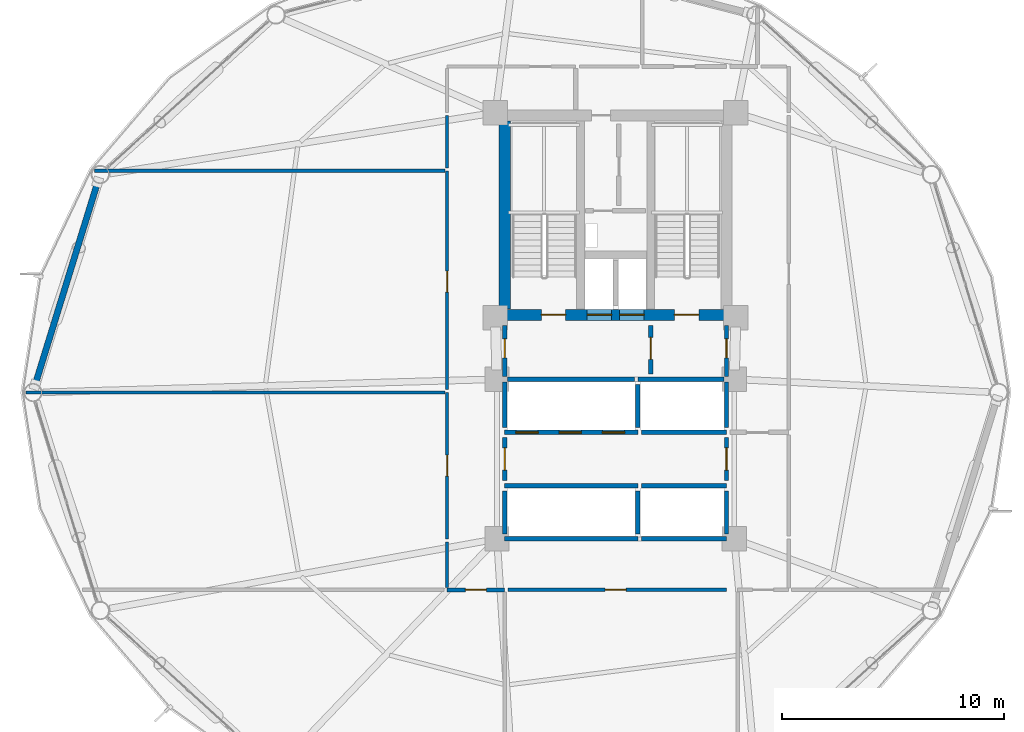
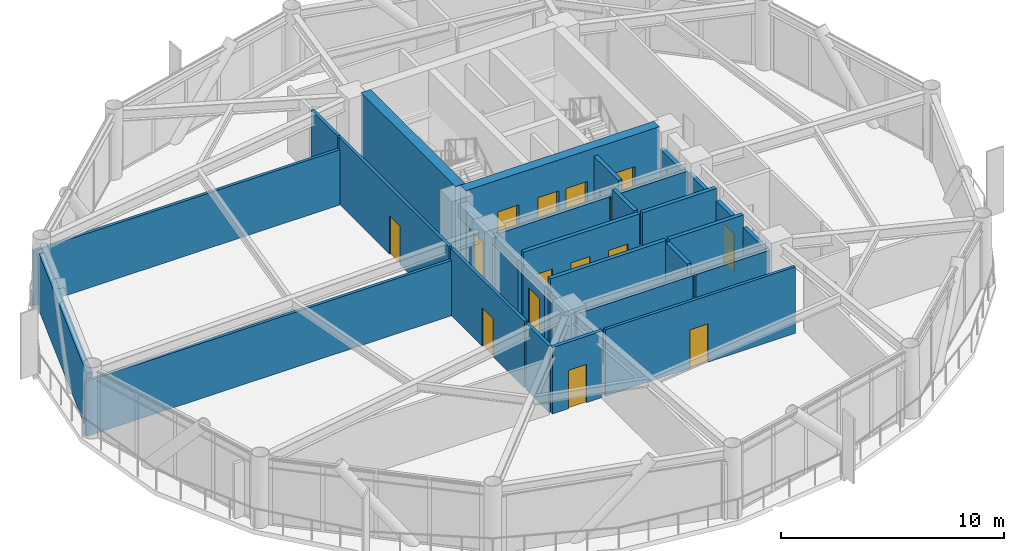
# One storey, part 20 of 25: 30 walls, 16 doors, 16 openings.
"""IFC4 building model written with IfcOpenShell, lengths in metres."""

from ifc_helpers import new_model, si_unit, direction, frame, frame_2d, origin, place, context, subcontext, project, spatial, rectangle, extrude, material, layer, layer_set, type_object, element, fill, save


model = new_model("IFC4")

# Units and contexts
model_context = context("Model", 3, precision=1e-05, world=origin(), true_north=direction((0.0, 1.0)))
body_context = subcontext(model_context, "Body", "Model", "MODEL_VIEW")
ifc_project = project(units=[si_unit("LENGTHUNIT", "METRE"), si_unit("AREAUNIT", "SQUARE_METRE"), si_unit("VOLUMEUNIT", "CUBIC_METRE"), si_unit("PLANEANGLEUNIT", "RADIAN"), si_unit("MASSUNIT", "GRAM", prefix="KILO")], contexts=[model_context])

# Site, building, storey
site_placement = place(None, origin())
site = spatial("IfcSite", under=ifc_project, at=site_placement, CompositionType="ELEMENT")
building_placement = place(site_placement, origin())
building = spatial("IfcBuilding", under=site, at=building_placement, Name="Varnakorn Sky Granary", CompositionType="ELEMENT")
storey_placement = place(building_placement, frame((0.0, 0.0, 91.5)))
storey = spatial("IfcBuildingStorey", under=building, at=storey_placement, Name="L22", CompositionType="ELEMENT", Elevation=91.5)

# Wall, openings, doors
ifc_material_1 = material(Name="Concrete C60/75", Category="concrete")
ifc_layer_1 = layer(ifc_material_1, 0.5, Name="Concrete C60/75")
ifc_layer_set_1 = layer_set([ifc_layer_1], Name="Concrete C60/75")
wall_type_1 = type_object("IfcWallType", Name="WT-CW-SHEAR-500", PredefinedType="SHEAR", material=ifc_layer_set_1)
wall_1_placement = place(storey_placement, frame((-2.0, 3.5, 0.0), z_axis=(0.0, 0.0, 1.0), x_axis=(1.0, 0.0, 0.0)))
wall_1 = element("IfcWall", 1, at=wall_1_placement, inside=storey, type_object=wall_type_1, Name="Core South Shear Wall L22", PredefinedType="SHEAR", context=body_context, shape_type="SweptSolid", body=[
    extrude(rectangle(XDim=10.0, YDim=0.5, at=frame_2d((5.0, 0.0))), origin(), (0.0, 0.0, 1.0), 3.89208984375),
])
opening_1_placement = place(wall_1_placement, frame((1.64990234375, 0.0, 0.0)))
opening_1 = element("IfcOpeningElement", 2, at=opening_1_placement, cuts=wall_1, Name="Opening FD-90", PredefinedType="OPENING", context=body_context, shape_type="SweptSolid", body=[
    extrude(rectangle(XDim=1.10009765625, YDim=2.14990234375, at=frame_2d((0.550048828125, 1.074951171875))), frame((0.0, 0.260009765625, 0.0), z_axis=(0.0, -1.0, 0.0), x_axis=(1.0, 0.0, 0.0)), (0.0, 0.0, 1.0), 0.52001953125),
])
opening_2_placement = place(wall_1_placement, frame((7.64990234375, 0.0, 0.0)))
opening_2 = element("IfcOpeningElement", 3, at=opening_2_placement, cuts=wall_1, Name="Opening FD-90", PredefinedType="OPENING", context=body_context, shape_type="SweptSolid", body=[
    extrude(rectangle(XDim=1.10009765625, YDim=2.14990234375, at=frame_2d((0.550048828125, 1.074951171875))), frame((0.0, 0.260009765625, 0.0), z_axis=(0.0, -1.0, 0.0), x_axis=(1.0, 0.0, 0.0)), (0.0, 0.0, 1.0), 0.52001953125),
])
opening_3_placement = place(wall_1_placement, frame((3.719970703125, 0.0, 0.0)))
opening_3 = element("IfcOpeningElement", 4, at=opening_3_placement, cuts=wall_1, Name="Opening LD-01", PredefinedType="OPENING", context=body_context, shape_type="SweptSolid", body=[
    extrude(rectangle(XDim=1.10009765625, YDim=2.199951171875, at=frame_2d((0.550048828125, 1.10009765625))), frame((0.0, 0.260009765625, 0.0), z_axis=(0.0, -1.0, 0.0), x_axis=(1.0, 0.0, 0.0)), (0.0, 0.0, 1.0), 0.52001953125),
])
opening_4_placement = place(wall_1_placement, frame((5.179931640625, 0.0, 0.0)))
opening_4 = element("IfcOpeningElement", 5, at=opening_4_placement, cuts=wall_1, Name="Opening LD-01", PredefinedType="OPENING", context=body_context, shape_type="SweptSolid", body=[
    extrude(rectangle(XDim=1.10009765625, YDim=2.199951171875, at=frame_2d((0.550048828125, 1.10009765625))), frame((0.0, 0.260009765625, 0.0), z_axis=(0.0, -1.0, 0.0), x_axis=(1.0, 0.0, 0.0)), (0.0, 0.0, 1.0), 0.52001953125),
])
ifc_material_2 = material(Name="Brushed Bronze Stainless Steel", Category="steel")
door_type_1 = type_object("IfcDoorType", Name="DR-LD-1100", OperationType="DOUBLE_DOOR_SLIDING", PredefinedType="DOOR", material=ifc_material_2)
door_1_placement = place(opening_3_placement, origin())
door_1 = element("IfcDoor", 6, at=door_1_placement, inside=storey, type_object=door_type_1, Name="Firefighting Lift FFL-1 Landing Door L22", OperationType="DOUBLE_DOOR_SLIDING", OverallHeight=2.199951171875, OverallWidth=1.10009765625, PredefinedType="DOOR", context=body_context, shape_type="SweptSolid", body=[
    extrude(rectangle(XDim=1.10009765625, YDim=2.199951171875, at=frame_2d((0.550048828125, 1.10009765625))), frame((0.0, 0.02490234375, 0.0), z_axis=(0.0, -1.0, 0.0), x_axis=(1.0, 0.0, 0.0)), (0.0, 0.0, 1.0), 0.050048828125),
])
fill(opening_3, door_1)
door_2_placement = place(opening_4_placement, origin())
door_2 = element("IfcDoor", 7, at=door_2_placement, inside=storey, type_object=door_type_1, Name="Firefighting Lift FFL-2 Landing Door L22", OperationType="DOUBLE_DOOR_SLIDING", OverallHeight=2.199951171875, OverallWidth=1.10009765625, PredefinedType="DOOR", context=body_context, shape_type="SweptSolid", body=[
    extrude(rectangle(XDim=1.10009765625, YDim=2.199951171875, at=frame_2d((0.550048828125, 1.10009765625))), frame((0.0, 0.02490234375, 0.0), z_axis=(0.0, -1.0, 0.0), x_axis=(1.0, 0.0, 0.0)), (0.0, 0.0, 1.0), 0.050048828125),
])
fill(opening_4, door_2)
ifc_material_3 = material(Name="Galvanised Painted Steel Leaf", Category="steel")
door_type_2 = type_object("IfcDoorType", Name="DR-STAIR-1100", OperationType="NOTDEFINED", PredefinedType="DOOR", material=ifc_material_3)
door_3_placement = place(opening_1_placement, origin())
door_3 = element("IfcDoor", 8, at=door_3_placement, inside=storey, type_object=door_type_2, Name="Stair ST-1 Protected Fire Door L22", OperationType="SINGLE_SWING_LEFT", OverallHeight=2.14990234375, OverallWidth=1.10009765625, PredefinedType="DOOR", context=body_context, shape_type="SweptSolid", body=[
    extrude(rectangle(XDim=1.10009765625, YDim=2.14990234375, at=frame_2d((0.550048828125, 1.074951171875))), frame((0.0, 0.02490234375, 0.0), z_axis=(0.0, -1.0, 0.0), x_axis=(1.0, 0.0, 0.0)), (0.0, 0.0, 1.0), 0.050048828125),
])
fill(opening_1, door_3)
door_4_placement = place(opening_2_placement, origin())
door_4 = element("IfcDoor", 9, at=door_4_placement, inside=storey, type_object=door_type_2, Name="Stair ST-2 Protected Fire Door L22", OperationType="SINGLE_SWING_RIGHT", OverallHeight=2.14990234375, OverallWidth=1.10009765625, PredefinedType="DOOR", context=body_context, shape_type="SweptSolid", body=[
    extrude(rectangle(XDim=1.10009765625, YDim=2.14990234375, at=frame_2d((0.550048828125, 1.074951171875))), frame((0.0, 0.02490234375, 0.0), z_axis=(0.0, -1.0, 0.0), x_axis=(1.0, 0.0, 0.0)), (0.0, 0.0, 1.0), 0.050048828125),
])
fill(opening_2, door_4)

# Walls
wall_2_placement = place(storey_placement, frame((-2.0, 3.760009765625, 0.0), z_axis=(0.0, 0.0, 1.0), x_axis=(0.0, 1.0, 0.0)))
element("IfcWall", 10, at=wall_2_placement, inside=storey, type_object=wall_type_1, Name="Core West Shear Wall L22", PredefinedType="SHEAR", context=body_context, shape_type="SweptSolid", body=[
    extrude(rectangle(XDim=8.47998046875, YDim=0.5, at=frame_2d((4.239990234375, 0.0))), origin(), (0.0, 0.0, 1.0), 3.89208984375),
])
ifc_material_4 = material(Name="Precast concrete C40/50", Category="concrete")
ifc_layer_2 = layer(ifc_material_4, 0.280029296875, Name="Precast concrete C40/50")
ifc_layer_set_2 = layer_set([ifc_layer_2], Name="Precast concrete C40/50")
wall_type_2 = type_object("IfcWallType", Name="WT-EW-CRN-280", PredefinedType="SOLIDWALL", material=ifc_layer_set_2)
wall_3_placement = place(storey_placement, frame((-23.176513671875, 0.345458984375, 0.0), z_axis=(0.0, 0.0, 1.0), x_axis=(0.294960704896, 0.95550938382, 0.0)))
element("IfcWall", 11, at=wall_3_placement, inside=storey, type_object=wall_type_2, Name="Agritech Insulated Precast Facade Wall L22-P06", PredefinedType="SOLIDWALL", context=body_context, shape_type="SweptSolid", body=[
    extrude(rectangle(XDim=9.568359375, YDim=0.280029296875, at=frame_2d((4.7841796875, 0.0))), origin(), (0.0, 0.0, 1.0), 3.110107421875),
])

# Wall, opening, door
ifc_material_5 = material(Name="Autoclaved Aerated Concrete Blockwork", Category="masonry")
ifc_layer_3 = layer(ifc_material_5, 0.199951171875, Name="Autoclaved Aerated Concrete Blockwork")
ifc_layer_set_3 = layer_set([ifc_layer_3], Name="Autoclaved Aerated Concrete Blockwork")
wall_type_3 = type_object("IfcWallType", Name="WT-FIRE-200", PredefinedType="MOVABLE", material=ifc_layer_set_3)
wall_4_placement = place(storey_placement, frame((4.580078125, 0.830078125, 0.0), z_axis=(0.0, 0.0, 1.0), x_axis=(0.0, 1.0, 0.0)))
wall_4 = element("IfcWall", 12, at=wall_4_placement, inside=storey, type_object=wall_type_3, Name="Interior Partition Wall L22-017", PredefinedType="MOVABLE", context=body_context, shape_type="SweptSolid", body=[
    extrude(rectangle(XDim=2.18994140625, YDim=0.199951171875, at=frame_2d((1.094970703125, 0.0))), origin(), (0.0, 0.0, 1.0), 3.639892578125),
])
opening_5_placement = place(wall_4_placement, frame((0.659912109375, 0.0, 0.0)))
opening_5 = element("IfcOpeningElement", 13, at=opening_5_placement, cuts=wall_4, Name="Opening FD-60", PredefinedType="OPENING", context=body_context, shape_type="SweptSolid", body=[
    extrude(rectangle(XDim=1.0, YDim=2.10009765625, at=frame_2d((0.5, 1.050048828125))), frame((0.0, 0.10986328125, 0.0), z_axis=(0.0, -1.0, 0.0), x_axis=(1.0, 0.0, 0.0)), (0.0, 0.0, 1.0), 0.219970703125),
])
ifc_material_6 = material(Name="Acoustic Timber Fire Leaf", Category="wood")
door_type_3 = type_object("IfcDoorType", Name="DR-FD60-1000", OperationType="NOTDEFINED", PredefinedType="DOOR", material=ifc_material_6)
door_5_placement = place(opening_5_placement, origin())
door_5 = element("IfcDoor", 14, at=door_5_placement, inside=storey, type_object=door_type_3, Name="Interior Door L22-017-1", OperationType="SINGLE_SWING_RIGHT", OverallHeight=2.10009765625, OverallWidth=1.0, PredefinedType="DOOR", context=body_context, shape_type="SweptSolid", body=[
    extrude(rectangle(XDim=1.0, YDim=2.10009765625, at=frame_2d((0.5, 1.050048828125))), frame((0.0, 0.02490234375, 0.0), z_axis=(0.0, -1.0, 0.0), x_axis=(1.0, 0.0, 0.0)), (0.0, 0.0, 1.0), 0.050048828125),
])
fill(opening_5, door_5)

wall_5_placement = place(storey_placement, frame((-2.0, 0.719970703125, 0.0), z_axis=(0.0, 0.0, 1.0), x_axis=(0.0, 1.0, 0.0)))
wall_5 = element("IfcWall", 15, at=wall_5_placement, inside=storey, type_object=wall_type_3, Name="Interior Partition Wall L22-018", PredefinedType="MOVABLE", context=body_context, shape_type="SweptSolid", body=[
    extrude(rectangle(XDim=2.300048828125, YDim=0.199951171875, at=frame_2d((1.14990234375, 0.0))), origin(), (0.0, 0.0, 1.0), 2.8720703125),
])
opening_6_placement = place(wall_5_placement, frame((0.844970703125, 0.0, 0.0)))
opening_6 = element("IfcOpeningElement", 16, at=opening_6_placement, cuts=wall_5, Name="Opening FD-60N", PredefinedType="OPENING", context=body_context, shape_type="SweptSolid", body=[
    extrude(rectangle(XDim=0.85009765625, YDim=2.10009765625, at=frame_2d((0.425048828125, 1.050048828125))), frame((0.0, 0.10986328125, 0.0), z_axis=(0.0, -1.0, 0.0), x_axis=(1.0, 0.0, 0.0)), (0.0, 0.0, 1.0), 0.219970703125),
])
door_type_4 = type_object("IfcDoorType", Name="DR-FD60-850", OperationType="NOTDEFINED", PredefinedType="DOOR", material=ifc_material_6)
door_6_placement = place(opening_6_placement, origin())
door_6 = element("IfcDoor", 17, at=door_6_placement, inside=storey, type_object=door_type_4, Name="Interior Door L22-018-1", OperationType="SINGLE_SWING_LEFT", OverallHeight=2.10009765625, OverallWidth=0.85009765625, PredefinedType="DOOR", context=body_context, shape_type="SweptSolid", body=[
    extrude(rectangle(XDim=0.85009765625, YDim=2.10009765625, at=frame_2d((0.425048828125, 1.050048828125))), frame((0.0, 0.02490234375, 0.0), z_axis=(0.0, -1.0, 0.0), x_axis=(1.0, 0.0, 0.0)), (0.0, 0.0, 1.0), 0.050048828125),
])
fill(opening_6, door_6)

wall_6_placement = place(storey_placement, frame((8.0, 0.719970703125, 0.0), z_axis=(0.0, 0.0, 1.0), x_axis=(0.0, 1.0, 0.0)))
wall_6 = element("IfcWall", 18, at=wall_6_placement, inside=storey, type_object=wall_type_3, Name="Interior Partition Wall L22-019", PredefinedType="MOVABLE", context=body_context, shape_type="SweptSolid", body=[
    extrude(rectangle(XDim=2.300048828125, YDim=0.199951171875, at=frame_2d((1.14990234375, 0.0))), origin(), (0.0, 0.0, 1.0), 2.8720703125),
])
opening_7_placement = place(wall_6_placement, frame((0.844970703125, 0.0, 0.0)))
opening_7 = element("IfcOpeningElement", 19, at=opening_7_placement, cuts=wall_6, Name="Opening FD-60N", PredefinedType="OPENING", context=body_context, shape_type="SweptSolid", body=[
    extrude(rectangle(XDim=0.85009765625, YDim=2.10009765625, at=frame_2d((0.425048828125, 1.050048828125))), frame((0.0, 0.10986328125, 0.0), z_axis=(0.0, -1.0, 0.0), x_axis=(1.0, 0.0, 0.0)), (0.0, 0.0, 1.0), 0.219970703125),
])
door_7_placement = place(opening_7_placement, origin())
door_7 = element("IfcDoor", 20, at=door_7_placement, inside=storey, type_object=door_type_4, Name="Interior Door L22-019-1", OperationType="SINGLE_SWING_RIGHT", OverallHeight=2.10009765625, OverallWidth=0.85009765625, PredefinedType="DOOR", context=body_context, shape_type="SweptSolid", body=[
    extrude(rectangle(XDim=0.85009765625, YDim=2.10009765625, at=frame_2d((0.425048828125, 1.050048828125))), frame((0.0, 0.02490234375, 0.0), z_axis=(0.0, -1.0, 0.0), x_axis=(1.0, 0.0, 0.0)), (0.0, 0.0, 1.0), 0.050048828125),
])
fill(opening_7, door_7)

wall_7_placement = place(storey_placement, frame((-2.0, -3.969970703125, 0.0), z_axis=(0.0, 0.0, 1.0), x_axis=(0.0, 1.0, 0.0)))
wall_7 = element("IfcWall", 21, at=wall_7_placement, inside=storey, type_object=wall_type_3, Name="Interior Partition Wall L22-020", PredefinedType="MOVABLE", context=body_context, shape_type="SweptSolid", body=[
    extrude(rectangle(XDim=1.93994140625, YDim=0.199951171875, at=frame_2d((0.969970703125, 0.0))), origin(), (0.0, 0.0, 1.0), 3.02197265625),
])
opening_8_placement = place(wall_7_placement, frame((0.469970703125, 0.0, 0.0)))
opening_8 = element("IfcOpeningElement", 22, at=opening_8_placement, cuts=wall_7, Name="Opening FD-60", PredefinedType="OPENING", context=body_context, shape_type="SweptSolid", body=[
    extrude(rectangle(XDim=1.0, YDim=2.10009765625, at=frame_2d((0.5, 1.050048828125))), frame((0.0, 0.10986328125, 0.0), z_axis=(0.0, -1.0, 0.0), x_axis=(1.0, 0.0, 0.0)), (0.0, 0.0, 1.0), 0.219970703125),
])
door_8_placement = place(opening_8_placement, origin())
door_8 = element("IfcDoor", 23, at=door_8_placement, inside=storey, type_object=door_type_3, Name="Interior Door L22-020-1", OperationType="SINGLE_SWING_LEFT", OverallHeight=2.10009765625, OverallWidth=1.0, PredefinedType="DOOR", context=body_context, shape_type="SweptSolid", body=[
    extrude(rectangle(XDim=1.0, YDim=2.10009765625, at=frame_2d((0.5, 1.050048828125))), frame((0.0, 0.02490234375, 0.0), z_axis=(0.0, -1.0, 0.0), x_axis=(1.0, 0.0, 0.0)), (0.0, 0.0, 1.0), 0.050048828125),
])
fill(opening_8, door_8)

wall_8_placement = place(storey_placement, frame((8.0, -3.969970703125, 0.0), z_axis=(0.0, 0.0, 1.0), x_axis=(0.0, 1.0, 0.0)))
wall_8 = element("IfcWall", 24, at=wall_8_placement, inside=storey, type_object=wall_type_3, Name="Interior Partition Wall L22-021", PredefinedType="MOVABLE", context=body_context, shape_type="SweptSolid", body=[
    extrude(rectangle(XDim=1.93994140625, YDim=0.199951171875, at=frame_2d((0.969970703125, 0.0))), origin(), (0.0, 0.0, 1.0), 3.072021484375),
])
opening_9_placement = place(wall_8_placement, frame((0.469970703125, 0.0, 0.0)))
opening_9 = element("IfcOpeningElement", 25, at=opening_9_placement, cuts=wall_8, Name="Opening FD-60", PredefinedType="OPENING", context=body_context, shape_type="SweptSolid", body=[
    extrude(rectangle(XDim=1.0, YDim=2.10009765625, at=frame_2d((0.5, 1.050048828125))), frame((0.0, 0.10986328125, 0.0), z_axis=(0.0, -1.0, 0.0), x_axis=(1.0, 0.0, 0.0)), (0.0, 0.0, 1.0), 0.219970703125),
])
door_9_placement = place(opening_9_placement, origin())
door_9 = element("IfcDoor", 26, at=door_9_placement, inside=storey, type_object=door_type_3, Name="Interior Door L22-021-1", OperationType="SINGLE_SWING_RIGHT", OverallHeight=2.10009765625, OverallWidth=1.0, PredefinedType="DOOR", context=body_context, shape_type="SweptSolid", body=[
    extrude(rectangle(XDim=1.0, YDim=2.10009765625, at=frame_2d((0.5, 1.050048828125))), frame((0.0, 0.02490234375, 0.0), z_axis=(0.0, -1.0, 0.0), x_axis=(1.0, 0.0, 0.0)), (0.0, 0.0, 1.0), 0.050048828125),
])
fill(opening_9, door_9)

# Wall
wall_9_placement = place(storey_placement, frame((-1.8798828125, 0.60009765625, 0.0), z_axis=(0.0, 0.0, 1.0), x_axis=(1.0, 0.0, 0.0)))
element("IfcWall", 27, at=wall_9_placement, inside=storey, type_object=wall_type_3, Name="Interior Partition Wall L22-031", PredefinedType="MOVABLE", context=body_context, shape_type="SweptSolid", body=[
    extrude(rectangle(XDim=5.719970703125, YDim=0.199951171875, at=frame_2d((2.85986328125, 0.0))), origin(), (0.0, 0.0, 1.0), 3.172119140625),
])

# Wall, opening, door
ifc_material_7 = material(Name="Gypsum Plasterboard on Steel Stud", Category="steel")
ifc_layer_4 = layer(ifc_material_7, 0.14990234375, Name="Gypsum Plasterboard on Steel Stud")
ifc_layer_set_4 = layer_set([ifc_layer_4], Name="Gypsum Plasterboard on Steel Stud")
wall_type_4 = type_object("IfcWallType", Name="WT-PART-150", PredefinedType="PARTITIONING", material=ifc_layer_set_4)
wall_10_placement = place(storey_placement, frame((-1.85009765625, -8.89990234375, 0.0), z_axis=(0.0, 0.0, 1.0), x_axis=(1.0, 0.0, 0.0)))
wall_10 = element("IfcWall", 28, at=wall_10_placement, inside=storey, type_object=wall_type_4, Name="Interior Partition Wall L22-025", PredefinedType="PARTITIONING", context=body_context, shape_type="SweptSolid", body=[
    extrude(rectangle(XDim=9.85009765625, YDim=0.14990234375, at=frame_2d((4.925048828125, 0.0))), origin(), (0.0, 0.0, 1.0), 3.639892578125),
])
opening_10_placement = place(wall_10_placement, frame((4.375, 0.0, 0.0)))
opening_10 = element("IfcOpeningElement", 29, at=opening_10_placement, cuts=wall_10, Name="Opening ID-95", PredefinedType="OPENING", context=body_context, shape_type="SweptSolid", body=[
    extrude(rectangle(XDim=0.949951171875, YDim=2.10009765625, at=frame_2d((0.47509765625, 1.050048828125))), frame((0.0, 0.0849609375, 0.0), z_axis=(0.0, -1.0, 0.0), x_axis=(1.0, 0.0, 0.0)), (0.0, 0.0, 1.0), 0.169921875),
])
ifc_material_8 = material(Name="Solid-Core Teak Veneer Leaf", Category="timber")
door_type_5 = type_object("IfcDoorType", Name="DR-INT-950", OperationType="NOTDEFINED", PredefinedType="DOOR", material=ifc_material_8)
door_10_placement = place(opening_10_placement, origin())
door_10 = element("IfcDoor", 30, at=door_10_placement, inside=storey, type_object=door_type_5, Name="Interior Door L22-025-1", OperationType="SINGLE_SWING_RIGHT", OverallHeight=2.10009765625, OverallWidth=0.949951171875, PredefinedType="DOOR", context=body_context, shape_type="SweptSolid", body=[
    extrude(rectangle(XDim=0.949951171875, YDim=2.10009765625, at=frame_2d((0.47509765625, 1.050048828125))), frame((0.0, 0.02490234375, 0.0), z_axis=(0.0, -1.0, 0.0), x_axis=(1.0, 0.0, 0.0)), (0.0, 0.0, 1.0), 0.050048828125),
])
fill(opening_10, door_10)

wall_11_placement = place(storey_placement, frame((-4.60009765625, 0.0, 0.0), z_axis=(0.0, 0.0, 1.0), x_axis=(0.0, -1.0, 0.0)))
wall_11 = element("IfcWall", 31, at=wall_11_placement, inside=storey, type_object=wall_type_4, Name="Interior Partition Wall L22-027", PredefinedType="PARTITIONING", context=body_context, shape_type="SweptSolid", body=[
    extrude(rectangle(XDim=6.60009765625, YDim=0.14990234375, at=frame_2d((3.300048828125, 0.0))), origin(), (0.0, 0.0, 1.0), 3.639892578125),
])
opening_11_placement = place(wall_11_placement, frame((2.824951171875, 0.0, 0.0)))
opening_11 = element("IfcOpeningElement", 32, at=opening_11_placement, cuts=wall_11, Name="Opening ID-95", PredefinedType="OPENING", context=body_context, shape_type="SweptSolid", body=[
    extrude(rectangle(XDim=0.949951171875, YDim=2.10009765625, at=frame_2d((0.47509765625, 1.050048828125))), frame((0.0, 0.0849609375, 0.0), z_axis=(0.0, -1.0, 0.0), x_axis=(1.0, 0.0, 0.0)), (0.0, 0.0, 1.0), 0.169921875),
])
door_11_placement = place(opening_11_placement, origin())
door_11 = element("IfcDoor", 33, at=door_11_placement, inside=storey, type_object=door_type_5, Name="Interior Door L22-027-1", OperationType="SINGLE_SWING_RIGHT", OverallHeight=2.10009765625, OverallWidth=0.949951171875, PredefinedType="DOOR", context=body_context, shape_type="SweptSolid", body=[
    extrude(rectangle(XDim=0.949951171875, YDim=2.10009765625, at=frame_2d((0.47509765625, 1.050048828125))), frame((0.0, 0.02490234375, 0.0), z_axis=(0.0, -1.0, 0.0), x_axis=(1.0, 0.0, 0.0)), (0.0, 0.0, 1.0), 0.050048828125),
])
fill(opening_11, door_11)

wall_12_placement = place(storey_placement, frame((-4.60009765625, 10.0, 0.0), z_axis=(0.0, 0.0, 1.0), x_axis=(0.0, -1.0, 0.0)))
wall_12 = element("IfcWall", 34, at=wall_12_placement, inside=storey, type_object=wall_type_4, Name="Interior Partition Wall L22-028", PredefinedType="PARTITIONING", context=body_context, shape_type="SweptSolid", body=[
    extrude(rectangle(XDim=9.864990234375, YDim=0.14990234375, at=frame_2d((4.9326171875, 0.0))), origin(), (0.0, 0.0, 1.0), 3.639892578125),
])
opening_12_placement = place(wall_12_placement, frame((4.52490234375, 0.0, 0.0)))
opening_12 = element("IfcOpeningElement", 35, at=opening_12_placement, cuts=wall_12, Name="Opening ID-95", PredefinedType="OPENING", context=body_context, shape_type="SweptSolid", body=[
    extrude(rectangle(XDim=0.949951171875, YDim=2.10009765625, at=frame_2d((0.47509765625, 1.050048828125))), frame((0.0, 0.0849609375, 0.0), z_axis=(0.0, -1.0, 0.0), x_axis=(1.0, 0.0, 0.0)), (0.0, 0.0, 1.0), 0.169921875),
])
door_12_placement = place(opening_12_placement, origin())
door_12 = element("IfcDoor", 36, at=door_12_placement, inside=storey, type_object=door_type_5, Name="Interior Door L22-028-1", OperationType="SINGLE_SWING_LEFT", OverallHeight=2.10009765625, OverallWidth=0.949951171875, PredefinedType="DOOR", context=body_context, shape_type="SweptSolid", body=[
    extrude(rectangle(XDim=0.949951171875, YDim=2.10009765625, at=frame_2d((0.47509765625, 1.050048828125))), frame((0.0, 0.02490234375, 0.0), z_axis=(0.0, -1.0, 0.0), x_axis=(1.0, 0.0, 0.0)), (0.0, 0.0, 1.0), 0.050048828125),
])
fill(opening_12, door_12)

# Walls
wall_13_placement = place(storey_placement, frame((-4.60009765625, -6.735107421875, 0.0), z_axis=(0.0, 0.0, 1.0), x_axis=(0.0, -1.0, 0.0)))
element("IfcWall", 37, at=wall_13_placement, inside=storey, type_object=wall_type_4, Name="Interior Partition Wall L22-038", PredefinedType="PARTITIONING", context=body_context, shape_type="SweptSolid", body=[
    extrude(rectangle(XDim=2.06494140625, YDim=0.14990234375, at=frame_2d((1.032470703125, 0.0))), origin(), (0.0, 0.0, 1.0), 3.639892578125),
])
wall_14_placement = place(storey_placement, frame((-23.593017578125, 0.0, 0.0), z_axis=(0.0, 0.0, 1.0), x_axis=(1.0, 0.0, 0.0)))
element("IfcWall", 38, at=wall_14_placement, inside=storey, type_object=wall_type_4, Name="Interior Partition Wall L22-039", PredefinedType="PARTITIONING", context=body_context, shape_type="SweptSolid", body=[
    extrude(rectangle(XDim=18.907958984375, YDim=0.14990234375, at=frame_2d((9.4541015625, 0.0))), origin(), (0.0, 0.0, 1.0), 3.02197265625),
])
wall_15_placement = place(storey_placement, frame((-20.506103515625, 10.0, 0.0), z_axis=(0.0, 0.0, 1.0), x_axis=(1.0, 0.0, 0.0)))
element("IfcWall", 39, at=wall_15_placement, inside=storey, type_object=wall_type_4, Name="Interior Partition Wall L22-040", PredefinedType="PARTITIONING", context=body_context, shape_type="SweptSolid", body=[
    extrude(rectangle(XDim=15.821044921875, YDim=0.14990234375, at=frame_2d((7.91064453125, 0.0))), origin(), (0.0, 0.0, 1.0), 3.02197265625),
])
wall_16_placement = place(storey_placement, frame((-4.60009765625, 12.5, 0.0), z_axis=(0.0, 0.0, 1.0), x_axis=(0.0, -1.0, 0.0)))
element("IfcWall", 40, at=wall_16_placement, inside=storey, type_object=wall_type_4, Name="Interior Partition Wall L22-042", PredefinedType="PARTITIONING", context=body_context, shape_type="SweptSolid", body=[
    extrude(rectangle(XDim=2.364990234375, YDim=0.14990234375, at=frame_2d((1.1826171875, 0.0))), origin(), (0.0, 0.0, 1.0), 3.639892578125),
])

# Wall, opening, door
ifc_material_9 = material(Name="Moisture-Resistant Gypsum on Stud", Category="gypsum")
ifc_layer_5 = layer(ifc_material_9, 0.179931640625, Name="Moisture-Resistant Gypsum on Stud")
ifc_layer_set_5 = layer_set([ifc_layer_5], Name="Moisture-Resistant Gypsum on Stud")
wall_type_5 = type_object("IfcWallType", Name="WT-PLUMB-180", PredefinedType="PLUMBINGWALL", material=ifc_layer_set_5)
wall_17_placement = place(storey_placement, frame((-4.60009765625, -8.89990234375, 0.0), z_axis=(0.0, 0.0, 1.0), x_axis=(1.0, 0.0, 0.0)))
wall_17 = element("IfcWall", 41, at=wall_17_placement, inside=storey, type_object=wall_type_5, Name="Interior Partition Wall L22-024", PredefinedType="PLUMBINGWALL", context=body_context, shape_type="SweptSolid", body=[
    extrude(rectangle(XDim=2.60009765625, YDim=0.179931640625, at=frame_2d((1.300048828125, 0.0))), origin(), (0.0, 0.0, 1.0), 3.639892578125),
])
opening_13_placement = place(wall_17_placement, frame((0.824951171875, 0.0, 0.0)))
opening_13 = element("IfcOpeningElement", 42, at=opening_13_placement, cuts=wall_17, Name="Opening ID-95", PredefinedType="OPENING", context=body_context, shape_type="SweptSolid", body=[
    extrude(rectangle(XDim=0.949951171875, YDim=2.10009765625, at=frame_2d((0.47509765625, 1.050048828125))), frame((0.0, 0.10009765625, 0.0), z_axis=(0.0, -1.0, 0.0), x_axis=(1.0, 0.0, 0.0)), (0.0, 0.0, 1.0), 0.199951171875),
])
door_13_placement = place(opening_13_placement, origin())
door_13 = element("IfcDoor", 43, at=door_13_placement, inside=storey, type_object=door_type_5, Name="Interior Door L22-024-1", OperationType="SINGLE_SWING_LEFT", OverallHeight=2.10009765625, OverallWidth=0.949951171875, PredefinedType="DOOR", context=body_context, shape_type="SweptSolid", body=[
    extrude(rectangle(XDim=0.949951171875, YDim=2.10009765625, at=frame_2d((0.47509765625, 1.050048828125))), frame((0.0, 0.02490234375, 0.0), z_axis=(0.0, -1.0, 0.0), x_axis=(1.0, 0.0, 0.0)), (0.0, 0.0, 1.0), 0.050048828125),
])
fill(opening_13, door_13)

# Wall
ifc_layer_6 = layer(ifc_material_5, 0.199951171875, Name="Autoclaved Aerated Concrete Blockwork")
ifc_layer_set_6 = layer_set([ifc_layer_6], Name="Autoclaved Aerated Concrete Blockwork")
wall_type_6 = type_object("IfcWallType", Name="WT-SHAFT-200", PredefinedType="SOLIDWALL", material=ifc_layer_set_6)
wall_18_placement = place(storey_placement, frame((4.0, 0.60009765625, 0.0), z_axis=(0.0, 0.0, 1.0), x_axis=(1.0, 0.0, 0.0)))
element("IfcWall", 44, at=wall_18_placement, inside=storey, type_object=wall_type_6, Name="Interior Partition Wall L22-002", PredefinedType="SOLIDWALL", context=body_context, shape_type="SweptSolid", body=[
    extrude(rectangle(XDim=3.8798828125, YDim=0.199951171875, at=frame_2d((1.93994140625, 0.0))), origin(), (0.0, 0.0, 1.0), 3.172119140625),
])

# Wall, openings, doors
wall_19_placement = place(storey_placement, frame((-2.0, -1.800048828125, 0.0), z_axis=(0.0, 0.0, 1.0), x_axis=(1.0, 0.0, 0.0)))
wall_19 = element("IfcWall", 45, at=wall_19_placement, inside=storey, type_object=wall_type_6, Name="Interior Partition Wall L22-003", PredefinedType="SOLIDWALL", context=body_context, shape_type="SweptSolid", body=[
    extrude(rectangle(XDim=6.0, YDim=0.199951171875, at=frame_2d((3.0, 0.0))), origin(), (0.0, 0.0, 1.0), 3.639892578125),
])
opening_14_placement = place(wall_19_placement, frame((0.5, 0.0, 0.0)))
opening_14 = element("IfcOpeningElement", 46, at=opening_14_placement, cuts=wall_19, Name="Opening LD-03", PredefinedType="OPENING", context=body_context, shape_type="SweptSolid", body=[
    extrude(rectangle(XDim=1.0, YDim=2.199951171875, at=frame_2d((0.5, 1.10009765625))), frame((0.0, 0.10986328125, 0.0), z_axis=(0.0, -1.0, 0.0), x_axis=(1.0, 0.0, 0.0)), (0.0, 0.0, 1.0), 0.219970703125),
])
opening_15_placement = place(wall_19_placement, frame((2.449951171875, 0.0, 0.0)))
opening_15 = element("IfcOpeningElement", 47, at=opening_15_placement, cuts=wall_19, Name="Opening LD-03", PredefinedType="OPENING", context=body_context, shape_type="SweptSolid", body=[
    extrude(rectangle(XDim=1.0, YDim=2.199951171875, at=frame_2d((0.5, 1.10009765625))), frame((0.0, 0.10986328125, 0.0), z_axis=(0.0, -1.0, 0.0), x_axis=(1.0, 0.0, 0.0)), (0.0, 0.0, 1.0), 0.219970703125),
])
opening_16_placement = place(wall_19_placement, frame((4.39990234375, 0.0, 0.0)))
opening_16 = element("IfcOpeningElement", 48, at=opening_16_placement, cuts=wall_19, Name="Opening LD-03", PredefinedType="OPENING", context=body_context, shape_type="SweptSolid", body=[
    extrude(rectangle(XDim=1.0, YDim=2.199951171875, at=frame_2d((0.5, 1.10009765625))), frame((0.0, 0.10986328125, 0.0), z_axis=(0.0, -1.0, 0.0), x_axis=(1.0, 0.0, 0.0)), (0.0, 0.0, 1.0), 0.219970703125),
])
door_type_6 = type_object("IfcDoorType", Name="DR-LD-1000", OperationType="DOUBLE_DOOR_SLIDING", PredefinedType="DOOR", material=ifc_material_2)
door_14_placement = place(opening_14_placement, origin())
door_14 = element("IfcDoor", 49, at=door_14_placement, inside=storey, type_object=door_type_6, Name="Passenger Lift PL-L1 Sliding Landing Door L22", OperationType="DOUBLE_DOOR_SLIDING", OverallHeight=2.199951171875, OverallWidth=1.0, PredefinedType="DOOR", context=body_context, shape_type="SweptSolid", body=[
    extrude(rectangle(XDim=1.0, YDim=2.199951171875, at=frame_2d((0.5, 1.10009765625))), frame((0.0, 0.02490234375, 0.0), z_axis=(0.0, -1.0, 0.0), x_axis=(1.0, 0.0, 0.0)), (0.0, 0.0, 1.0), 0.050048828125),
])
fill(opening_14, door_14)
door_15_placement = place(opening_15_placement, origin())
door_15 = element("IfcDoor", 50, at=door_15_placement, inside=storey, type_object=door_type_6, Name="Passenger Lift PL-L2 Sliding Landing Door L22", OperationType="DOUBLE_DOOR_SLIDING", OverallHeight=2.199951171875, OverallWidth=1.0, PredefinedType="DOOR", context=body_context, shape_type="SweptSolid", body=[
    extrude(rectangle(XDim=1.0, YDim=2.199951171875, at=frame_2d((0.5, 1.10009765625))), frame((0.0, 0.02490234375, 0.0), z_axis=(0.0, -1.0, 0.0), x_axis=(1.0, 0.0, 0.0)), (0.0, 0.0, 1.0), 0.050048828125),
])
fill(opening_15, door_15)
door_16_placement = place(opening_16_placement, origin())
door_16 = element("IfcDoor", 51, at=door_16_placement, inside=storey, type_object=door_type_6, Name="Passenger Lift PL-L3 Sliding Landing Door L22", OperationType="DOUBLE_DOOR_SLIDING", OverallHeight=2.199951171875, OverallWidth=1.0, PredefinedType="DOOR", context=body_context, shape_type="SweptSolid", body=[
    extrude(rectangle(XDim=1.0, YDim=2.199951171875, at=frame_2d((0.5, 1.10009765625))), frame((0.0, 0.02490234375, 0.0), z_axis=(0.0, -1.0, 0.0), x_axis=(1.0, 0.0, 0.0)), (0.0, 0.0, 1.0), 0.050048828125),
])
fill(opening_16, door_16)

# Walls
wall_20_placement = place(storey_placement, frame((-2.0, -1.570068359375, 0.0), z_axis=(0.0, 0.0, 1.0), x_axis=(0.0, 1.0, 0.0)))
element("IfcWall", 52, at=wall_20_placement, inside=storey, type_object=wall_type_6, Name="Interior Partition Wall L22-004", PredefinedType="SOLIDWALL", context=body_context, shape_type="SweptSolid", body=[
    extrude(rectangle(XDim=2.050048828125, YDim=0.199951171875, at=frame_2d((1.02490234375, 0.0))), origin(), (0.0, 0.0, 1.0), 3.02197265625),
])
wall_21_placement = place(storey_placement, frame((4.159912109375, -1.800048828125, 0.0), z_axis=(0.0, 0.0, 1.0), x_axis=(1.0, 0.0, 0.0)))
element("IfcWall", 53, at=wall_21_placement, inside=storey, type_object=wall_type_6, Name="Interior Partition Wall L22-005", PredefinedType="SOLIDWALL", context=body_context, shape_type="SweptSolid", body=[
    extrude(rectangle(XDim=3.840087890625, YDim=0.199951171875, at=frame_2d((1.919921875, 0.0))), origin(), (0.0, 0.0, 1.0), 3.639892578125),
])
wall_22_placement = place(storey_placement, frame((4.0, -1.570068359375, 0.0), z_axis=(0.0, 0.0, 1.0), x_axis=(0.0, 1.0, 0.0)))
element("IfcWall", 54, at=wall_22_placement, inside=storey, type_object=wall_type_6, Name="Interior Partition Wall L22-006", PredefinedType="SOLIDWALL", context=body_context, shape_type="SweptSolid", body=[
    extrude(rectangle(XDim=1.940185546875, YDim=0.199951171875, at=frame_2d((0.97021484375, 0.0))), origin(), (0.0, 0.0, 1.0), 3.639892578125),
])
wall_23_placement = place(storey_placement, frame((8.0, -1.570068359375, 0.0), z_axis=(0.0, 0.0, 1.0), x_axis=(0.0, 1.0, 0.0)))
element("IfcWall", 55, at=wall_23_placement, inside=storey, type_object=wall_type_6, Name="Interior Partition Wall L22-007", PredefinedType="SOLIDWALL", context=body_context, shape_type="SweptSolid", body=[
    extrude(rectangle(XDim=2.050048828125, YDim=0.199951171875, at=frame_2d((1.02490234375, 0.0))), origin(), (0.0, 0.0, 1.0), 3.072021484375),
])
wall_24_placement = place(storey_placement, frame((-2.0, -4.199951171875, 0.0), z_axis=(0.0, 0.0, 1.0), x_axis=(1.0, 0.0, 0.0)))
element("IfcWall", 56, at=wall_24_placement, inside=storey, type_object=wall_type_6, Name="Interior Partition Wall L22-008", PredefinedType="SOLIDWALL", context=body_context, shape_type="SweptSolid", body=[
    extrude(rectangle(XDim=6.0, YDim=0.199951171875, at=frame_2d((3.0, 0.0))), origin(), (0.0, 0.0, 1.0), 3.639892578125),
])
wall_25_placement = place(storey_placement, frame((-2.0, -6.60009765625, 0.0), z_axis=(0.0, 0.0, 1.0), x_axis=(1.0, 0.0, 0.0)))
element("IfcWall", 57, at=wall_25_placement, inside=storey, type_object=wall_type_6, Name="Interior Partition Wall L22-009", PredefinedType="SOLIDWALL", context=body_context, shape_type="SweptSolid", body=[
    extrude(rectangle(XDim=6.0, YDim=0.199951171875, at=frame_2d((3.0, 0.0))), origin(), (0.0, 0.0, 1.0), 3.172119140625),
])
wall_26_placement = place(storey_placement, frame((-2.0, -6.3701171875, 0.0), z_axis=(0.0, 0.0, 1.0), x_axis=(0.0, 1.0, 0.0)))
element("IfcWall", 58, at=wall_26_placement, inside=storey, type_object=wall_type_6, Name="Interior Partition Wall L22-010", PredefinedType="SOLIDWALL", context=body_context, shape_type="SweptSolid", body=[
    extrude(rectangle(XDim=1.940185546875, YDim=0.199951171875, at=frame_2d((0.97021484375, 0.0))), origin(), (0.0, 0.0, 1.0), 3.02197265625),
])
wall_27_placement = place(storey_placement, frame((4.159912109375, -4.199951171875, 0.0), z_axis=(0.0, 0.0, 1.0), x_axis=(1.0, 0.0, 0.0)))
element("IfcWall", 59, at=wall_27_placement, inside=storey, type_object=wall_type_6, Name="Interior Partition Wall L22-011", PredefinedType="SOLIDWALL", context=body_context, shape_type="SweptSolid", body=[
    extrude(rectangle(XDim=3.840087890625, YDim=0.199951171875, at=frame_2d((1.919921875, 0.0))), origin(), (0.0, 0.0, 1.0), 3.639892578125),
])
wall_28_placement = place(storey_placement, frame((4.159912109375, -6.60009765625, 0.0), z_axis=(0.0, 0.0, 1.0), x_axis=(1.0, 0.0, 0.0)))
element("IfcWall", 60, at=wall_28_placement, inside=storey, type_object=wall_type_6, Name="Interior Partition Wall L22-012", PredefinedType="SOLIDWALL", context=body_context, shape_type="SweptSolid", body=[
    extrude(rectangle(XDim=3.840087890625, YDim=0.199951171875, at=frame_2d((1.919921875, 0.0))), origin(), (0.0, 0.0, 1.0), 3.172119140625),
])
wall_29_placement = place(storey_placement, frame((4.0, -6.3701171875, 0.0), z_axis=(0.0, 0.0, 1.0), x_axis=(0.0, 1.0, 0.0)))
element("IfcWall", 61, at=wall_29_placement, inside=storey, type_object=wall_type_6, Name="Interior Partition Wall L22-013", PredefinedType="SOLIDWALL", context=body_context, shape_type="SweptSolid", body=[
    extrude(rectangle(XDim=1.940185546875, YDim=0.199951171875, at=frame_2d((0.97021484375, 0.0))), origin(), (0.0, 0.0, 1.0), 3.639892578125),
])
wall_30_placement = place(storey_placement, frame((8.0, -6.3701171875, 0.0), z_axis=(0.0, 0.0, 1.0), x_axis=(0.0, 1.0, 0.0)))
element("IfcWall", 62, at=wall_30_placement, inside=storey, type_object=wall_type_6, Name="Interior Partition Wall L22-014", PredefinedType="SOLIDWALL", context=body_context, shape_type="SweptSolid", body=[
    extrude(rectangle(XDim=1.940185546875, YDim=0.199951171875, at=frame_2d((0.97021484375, 0.0))), origin(), (0.0, 0.0, 1.0), 3.072021484375),
])

save(model, "model.ifc")
